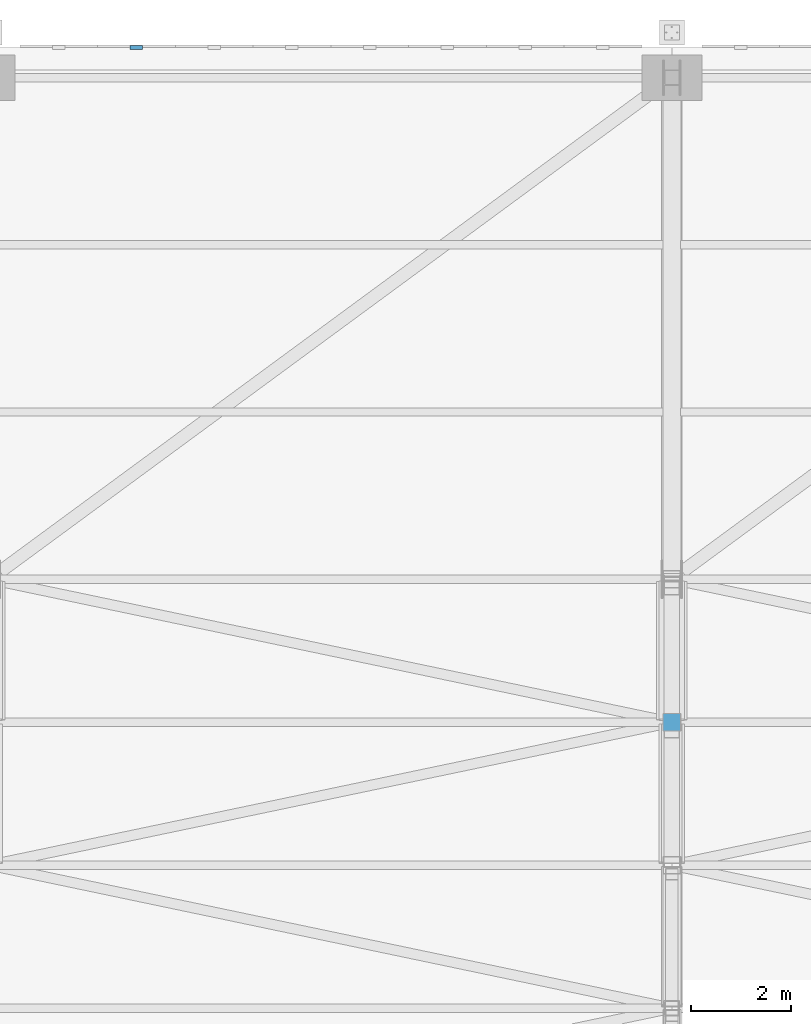
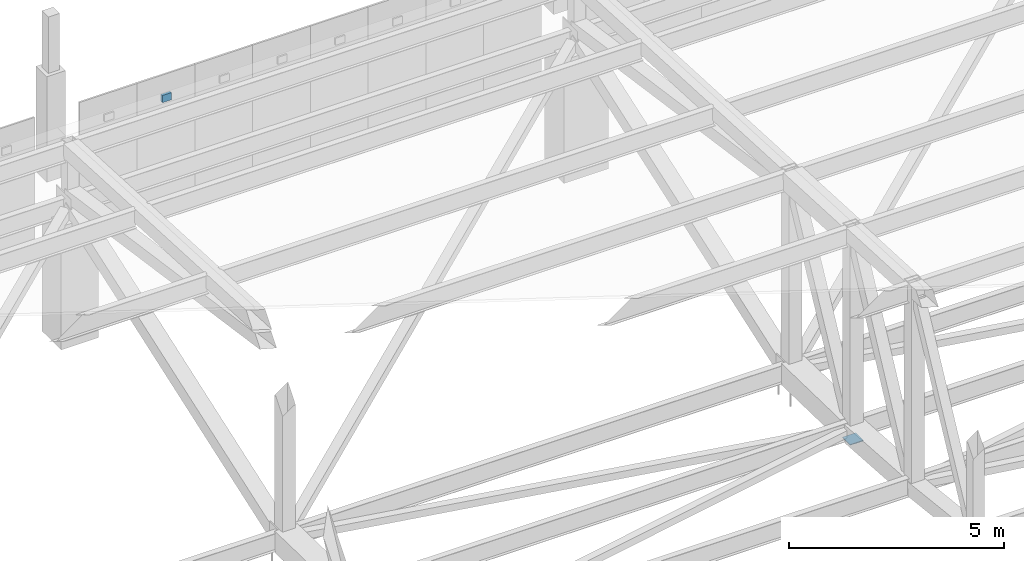
# One storey, part 240 of 278: 2 discrete accessories.
"""IFC4 building model written with IfcOpenShell, lengths in metres."""

from ifc_helpers import new_model, si_unit, direction, frame, origin, origin_2d, place, context, subcontext, project, spatial, rectangle, extrude, material, layer, layer_set, type_object, element, save


model = new_model("IFC4")

# Units and contexts
model_context = context("Model", 3, precision=1e-05, world=origin(), true_north=direction((0.0, 1.0)))
body_context = subcontext(model_context, "Body", "Model", "MODEL_VIEW")
ifc_project = project(units=[si_unit("LENGTHUNIT", "METRE"), si_unit("AREAUNIT", "SQUARE_METRE"), si_unit("VOLUMEUNIT", "CUBIC_METRE"), si_unit("PLANEANGLEUNIT", "RADIAN"), si_unit("MASSUNIT", "GRAM", prefix="KILO")], contexts=[model_context])

# Site, building, storey
site_placement = place(None, origin())
site = spatial("IfcSite", under=ifc_project, at=site_placement, CompositionType="ELEMENT")
building_placement = place(site_placement, origin())
building = spatial("IfcBuilding", under=site, at=building_placement, Name="Ogive Plaza Stadium", CompositionType="ELEMENT")
storey_placement = place(building_placement, frame((0.0, 0.0, 29.0)))
storey = spatial("IfcBuildingStorey", under=building, at=storey_placement, Name="Roof", CompositionType="ELEMENT", Elevation=29.0)

# Discrete accessories
ifc_material_1 = material(Name="Steel ASTM A992 Grade 50", Category="steel")
ifc_layer_1 = layer(ifc_material_1, 0.02001953125)
ifc_layer_set_1 = layer_set([ifc_layer_1], Name="Steel ASTM A992 Grade 50")
discrete_accessory_type_1 = type_object("IfcDiscreteAccessoryType", Name="Roof truss post cap plate 20", PredefinedType="ANCHORPLATE", material=ifc_layer_set_1)
discrete_accessory_1_placement = place(storey_placement, frame((20.39990234375, 89.64990234375, 0.04541015625), z_axis=(0.0, 0.0, 1.0), x_axis=(0.0, 1.0, 0.0)))
element("IfcDiscreteAccessory", 1, at=discrete_accessory_1_placement, inside=storey, type_object=discrete_accessory_type_1, Name="ROOF TRUSS POST CAP PLATE 36 10", PredefinedType="ANCHORPLATE", context=body_context, shape_type="SweptSolid", body=[
    extrude(rectangle(XDim=0.355712890625, YDim=0.355712890625, at=origin_2d()), origin(), (0.0, 0.0, 1.0), 0.02001953125),
])
ifc_material_2 = material(Name="Steel ASTM A572 Grade 50", Category="steel")
ifc_layer_2 = layer(ifc_material_2, 0.080078125)
ifc_layer_set_2 = layer_set([ifc_layer_2], Name="Steel ASTM A572 Grade 50")
discrete_accessory_type_2 = type_object("IfcDiscreteAccessoryType", Name="Tracery screen bracket 250x200", PredefinedType="BRACKET", material=ifc_layer_set_2)
discrete_accessory_2_placement = place(storey_placement, frame((9.72509765625, 103.102294921875, 5.25), z_axis=(0.0, 0.0, 1.0), x_axis=(1.0, 0.0, 0.0)))
element("IfcDiscreteAccessory", 2, at=discrete_accessory_2_placement, inside=storey, type_object=discrete_accessory_type_2, Name="TRACERY SCREEN BRACKET B35 2", PredefinedType="BRACKET", context=body_context, shape_type="SweptSolid", body=[
    extrude(rectangle(XDim=0.25, YDim=0.080078125, at=origin_2d()), origin(), (0.0, 0.0, 1.0), 0.199951171875),
])

save(model, "model.ifc")
